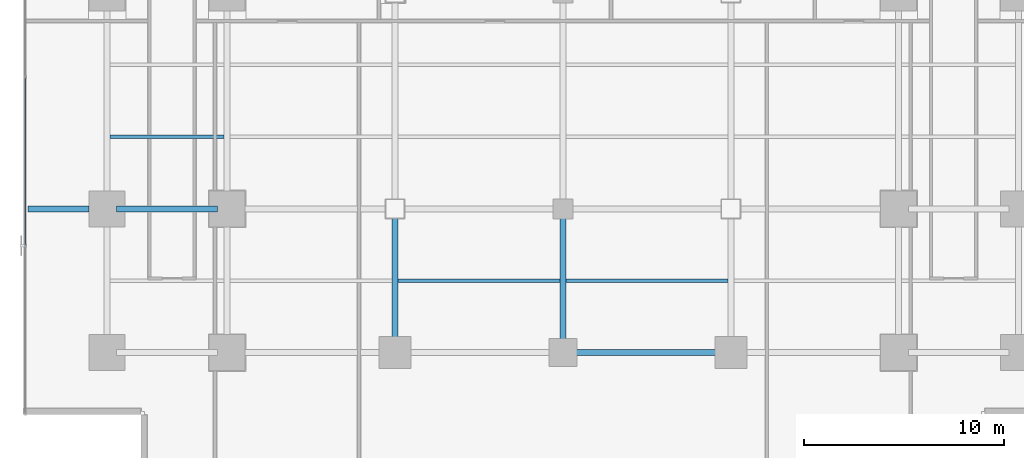
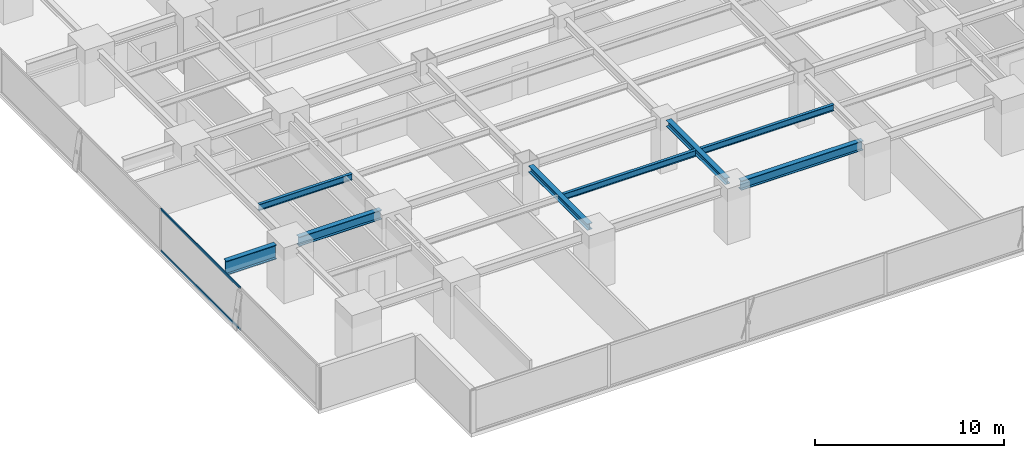
# One storey, part 6 of 32: 8 beams, 2 members, 1 element without a shape of its own.
"""IFC4 building model written with IfcOpenShell, lengths in metres."""

from ifc_helpers import new_model, si_unit, direction, frame, origin, origin_2d, place, context, subcontext, project, spatial, hollow_rectangle, i_section, extrude, source, transform, mapped, material, layer, layer_set, material_profile, profile_set, type_object, element, aggregate, save


model = new_model("IFC4")

# Units and contexts
model_context = context("Model", 3, precision=1e-05, world=origin(), true_north=direction((0.0, 1.0)))
body_context = subcontext(model_context, "Body", "Model", "MODEL_VIEW")
ifc_project = project(units=[si_unit("LENGTHUNIT", "METRE"), si_unit("AREAUNIT", "SQUARE_METRE"), si_unit("VOLUMEUNIT", "CUBIC_METRE"), si_unit("PLANEANGLEUNIT", "RADIAN"), si_unit("MASSUNIT", "GRAM", prefix="KILO")], contexts=[model_context])

# Site, building, storey
site_placement = place(None, origin())
site = spatial("IfcSite", under=ifc_project, at=site_placement, CompositionType="ELEMENT")
building_placement = place(site_placement, origin())
building = spatial("IfcBuilding", under=site, at=building_placement, Name="Sumidabori Civic Tower", CompositionType="ELEMENT")
storey_placement = place(building_placement, frame((0.0, 0.0, 48.800048828125)))
storey = spatial("IfcBuildingStorey", under=building, at=storey_placement, Name="L12", CompositionType="ELEMENT", Elevation=48.800048828125)

# Beams
ifc_material_1 = material(Name="Steel SN490", Category="steel")
ifc_material_profile_1 = material_profile(ifc_material_1, i_section(OverallWidth=0.300048828125, OverallDepth=0.60009765625, WebThickness=0.015380859375, FlangeThickness=0.030029296875, at=origin_2d()), Name="HE 600 B")
ifc_profile_set_1 = profile_set([ifc_material_profile_1], Name="Steel SN490")
beam_type_1 = type_object("IfcBeamType", Name="BM-GIRD-600", PredefinedType="BEAM", material=ifc_profile_set_1)
shared_shape_1 = source(origin(), body_context, "Body", "SweptSolid", [
    extrude(i_section(OverallWidth=0.300048828125, OverallDepth=0.60009765625, WebThickness=0.015380859375, FlangeThickness=0.030029296875, at=origin_2d()), origin(), (0.0, 0.0, 1.0), 5.0400390625),
])
beam_1_placement = place(storey_placement, frame((-22.320068359375, -10.800048828125, 3.06005859375), z_axis=(1.0, 0.0, 0.0), x_axis=(0.0, 1.0, 0.0)))
element("IfcBeam", 1, at=beam_1_placement, inside=storey, type_object=beam_type_1, Name="Primary Girder L12 GX-07", PredefinedType="BEAM", context=body_context, shape_type="MappedRepresentation", body=[
    mapped(shared_shape_1, transform((0.0, 0.0, 0.0), x_axis=(1.0, 0.0, 0.0), y_axis=(0.0, 1.0, 0.0), z_axis=(0.0, 0.0, 1.0), scale=1.0)),
])
shared_shape_2 = source(origin(), body_context, "Body", "SweptSolid", [
    extrude(i_section(OverallWidth=0.300048828125, OverallDepth=0.60009765625, WebThickness=0.015380859375, FlangeThickness=0.030029296875, at=origin_2d()), origin(), (0.0, 0.0, 1.0), 7.43994140625),
])
beam_2_placement = place(storey_placement, frame((0.47998046875, -18.0, 3.06005859375), z_axis=(1.0, 0.0, 0.0), x_axis=(0.0, 1.0, 0.0)))
element("IfcBeam", 2, at=beam_2_placement, inside=storey, type_object=beam_type_1, Name="Primary Girder L12 GX-04", PredefinedType="BEAM", context=body_context, shape_type="MappedRepresentation", body=[
    mapped(shared_shape_2, transform((0.0, 0.0, 0.0), x_axis=(1.0, 0.0, 0.0), y_axis=(0.0, 1.0, 0.0), z_axis=(0.0, 0.0, 1.0), scale=1.0)),
])
ifc_material_profile_2 = material_profile(ifc_material_1, i_section(OverallWidth=0.300048828125, OverallDepth=0.39990234375, WebThickness=0.013427734375, FlangeThickness=0.02392578125, at=origin_2d()), Name="HE 400 B")
ifc_profile_set_2 = profile_set([ifc_material_profile_2], Name="Steel SN490")
beam_type_2 = type_object("IfcBeamType", Name="BM-GIRD-400", PredefinedType="BEAM", material=ifc_profile_set_2)
shared_shape_3 = source(origin(), body_context, "Body", "SweptSolid", [
    extrude(i_section(OverallWidth=0.300048828125, OverallDepth=0.39990234375, WebThickness=0.013427734375, FlangeThickness=0.02392578125, at=origin_2d()), origin(), (0.0, 0.0, 1.0), 6.239990234375),
])
for number, where, z_axis, x_axis, name in (
    (3, (-8.39990234375, -17.52001953125, 3.159912109375), (0.0, 1.0, 0.0), (-1.0, 0.0, 0.0), "Primary Girder L12 GY-29"),
    (4, (0.0, -17.52001953125, 3.159912109375), (0.0, 1.0, 0.0), (-1.0, 0.0, 0.0), "Primary Girder L12 GY-31"),
):
    element("IfcBeam", number, at=place(storey_placement, frame(where, z_axis=z_axis, x_axis=x_axis)), inside=storey, type_object=beam_type_2, Name=name, PredefinedType="BEAM", context=body_context, shape_type="MappedRepresentation", body=[
        mapped(shared_shape_3, transform((0.0, 0.0, 0.0), x_axis=(1.0, 0.0, 0.0), y_axis=(0.0, 1.0, 0.0), z_axis=(0.0, 0.0, 1.0), scale=1.0)),
    ])
ifc_material_profile_3 = material_profile(ifc_material_1, i_section(OverallWidth=0.302001953125, OverallDepth=0.909912109375, WebThickness=0.02099609375, FlangeThickness=0.0400390625, at=origin_2d()), Name="HE 900 M")
ifc_profile_set_3 = profile_set([ifc_material_profile_3], Name="Steel SN490")
beam_type_3 = type_object("IfcBeamType", Name="BM-Z1-EDGE", PredefinedType="SPANDREL", material=ifc_profile_set_3)
shared_shape_4 = source(origin(), body_context, "Body", "SweptSolid", [
    extrude(i_section(OverallWidth=0.302001953125, OverallDepth=0.909912109375, WebThickness=0.02099609375, FlangeThickness=0.0400390625, at=origin_2d()), origin(), (0.0, 0.0, 1.0), 3.050048828125),
])
beam_3_placement = place(storey_placement, frame((-26.75, -10.800048828125, 2.905029296875), z_axis=(1.0, 0.0, 0.0), x_axis=(0.0, 1.0, 0.0)))
element("IfcBeam", 5, at=beam_3_placement, inside=storey, type_object=beam_type_3, Name="Perimeter Overhang Beam L12 W-44", PredefinedType="SPANDREL", context=body_context, shape_type="MappedRepresentation", body=[
    mapped(shared_shape_4, transform((0.0, 0.0, 0.0), x_axis=(1.0, 0.0, 0.0), y_axis=(0.0, 1.0, 0.0), z_axis=(0.0, 0.0, 1.0), scale=1.0)),
])
ifc_material_profile_4 = material_profile(ifc_material_1, i_section(OverallWidth=0.179931640625, OverallDepth=0.39990234375, WebThickness=0.008544921875, FlangeThickness=0.013427734375, at=origin_2d()), Name="IPE 400")
ifc_profile_set_4 = profile_set([ifc_material_profile_4], Name="Steel SN490")
beam_type_4 = type_object("IfcBeamType", Name="BM-JST-400", PredefinedType="JOIST", material=ifc_profile_set_4)
shared_shape_5 = source(origin(), body_context, "Body", "SweptSolid", [
    extrude(i_section(OverallWidth=0.179931640625, OverallDepth=0.39990234375, WebThickness=0.008544921875, FlangeThickness=0.013427734375, at=origin_2d()), origin(), (0.0, 0.0, 1.0), 5.699951171875),
])
beam_4_placement = place(storey_placement, frame((-22.64990234375, -7.199951171875, 3.159912109375), z_axis=(1.0, 0.0, 0.0), x_axis=(0.0, 1.0, 0.0)))
element("IfcBeam", 6, at=beam_4_placement, inside=storey, type_object=beam_type_4, Name="Outer Bay Floor Joist L12 JSTO-49", PredefinedType="JOIST", context=body_context, shape_type="MappedRepresentation", body=[
    mapped(shared_shape_5, transform((0.0, 0.0, 0.0), x_axis=(1.0, 0.0, 0.0), y_axis=(0.0, 1.0, 0.0), z_axis=(0.0, 0.0, 1.0), scale=1.0)),
])
shared_shape_6 = source(origin(), body_context, "Body", "SweptSolid", [
    extrude(i_section(OverallWidth=0.179931640625, OverallDepth=0.39990234375, WebThickness=0.008544921875, FlangeThickness=0.013427734375, at=origin_2d()), origin(), (0.0, 0.0, 1.0), 8.10009765625),
])
for number, where, z_axis, x_axis, name in (
    (7, (-8.25, -14.39990234375, 3.159912109375), (1.0, 0.0, 0.0), (0.0, 1.0, 0.0), "South Bay Floor Joist L12 JSTS-62"),
    (8, (0.14990234375, -14.39990234375, 3.159912109375), (1.0, 0.0, 0.0), (0.0, 1.0, 0.0), "South Bay Floor Joist L12 JSTS-63"),
):
    element("IfcBeam", number, at=place(storey_placement, frame(where, z_axis=z_axis, x_axis=x_axis)), inside=storey, type_object=beam_type_4, Name=name, PredefinedType="JOIST", context=body_context, shape_type="MappedRepresentation", body=[
        mapped(shared_shape_6, transform((0.0, 0.0, 0.0), x_axis=(1.0, 0.0, 0.0), y_axis=(0.0, 1.0, 0.0), z_axis=(0.0, 0.0, 1.0), scale=1.0)),
    ])

# Curtain wall, members
ifc_material_2 = material(Name="Anodised Bronze Aluminium AW-6063-T6", Category="aluminium")
ifc_layer = layer(ifc_material_2, 0.179931640625, Name="Anodised Bronze Aluminium AW-6063-T6")
ifc_layer_set = layer_set([ifc_layer], Name="Anodised Bronze Aluminium AW-6063-T6")
curtain_wall_type = type_object("IfcCurtainWallType", Name="CW-SYS-2", PredefinedType="NOTDEFINED", material=ifc_layer_set)
curtain_wall_placement = place(storey_placement, origin())
curtain_wall = element("IfcCurtainWall", 9, at=curtain_wall_placement, inside=storey, type_object=curtain_wall_type, Name="Curtain Wall CW:L12:R10", PredefinedType="NOTDEFINED")
ifc_material_profile_5 = material_profile(ifc_material_2, hollow_rectangle(XDim=0.06494140625, YDim=0.14990234375, WallThickness=0.0048828125, at=origin_2d()), Name="ALU TRANSOM 150x65")
ifc_profile_set_5 = profile_set([ifc_material_profile_5], Name="Anodised Bronze Aluminium AW-6063-T6")
member_type = type_object("IfcMemberType", Name="CW-TRN-150", PredefinedType="USERDEFINED", material=ifc_profile_set_5)
shared_shape_7 = source(origin(), body_context, "Body", "SweptSolid", [
    extrude(hollow_rectangle(XDim=0.06494140625, YDim=0.14990234375, WallThickness=0.0048828125, at=origin_2d()), origin(), (0.0, 0.0, 1.0), 8.35791015625),
])
member_1_placement = place(storey_placement, frame((-26.8798828125, -4.2490234375, 0.032470703125), z_axis=(0.0, -1.0, 0.0), x_axis=(1.0, 0.0, 0.0)))
member_1 = element("IfcMember", 10, at=member_1_placement, type_object=member_type, Name="CW-2 transom 4.1", ObjectType="TRANSOM", PredefinedType="USERDEFINED", context=body_context, shape_type="MappedRepresentation", body=[
    mapped(shared_shape_7, transform((0.0, 0.0, 0.0), x_axis=(1.0, 0.0, 0.0), y_axis=(0.0, 1.0, 0.0), z_axis=(0.0, 0.0, 1.0), scale=1.0)),
])
member_2_placement = place(storey_placement, frame((-26.8798828125, -4.2490234375, 2.70751953125), z_axis=(0.0, -1.0, 0.0), x_axis=(1.0, 0.0, 0.0)))
member_2 = element("IfcMember", 11, at=member_2_placement, type_object=member_type, Name="CW-2 transom 4.2", ObjectType="TRANSOM", PredefinedType="USERDEFINED", context=body_context, shape_type="MappedRepresentation", body=[
    mapped(shared_shape_7, transform((0.0, 0.0, 0.0), x_axis=(1.0, 0.0, 0.0), y_axis=(0.0, 1.0, 0.0), z_axis=(0.0, 0.0, 1.0), scale=1.0)),
])
aggregate(curtain_wall, [member_1, member_2])

save(model, "model.ifc")
